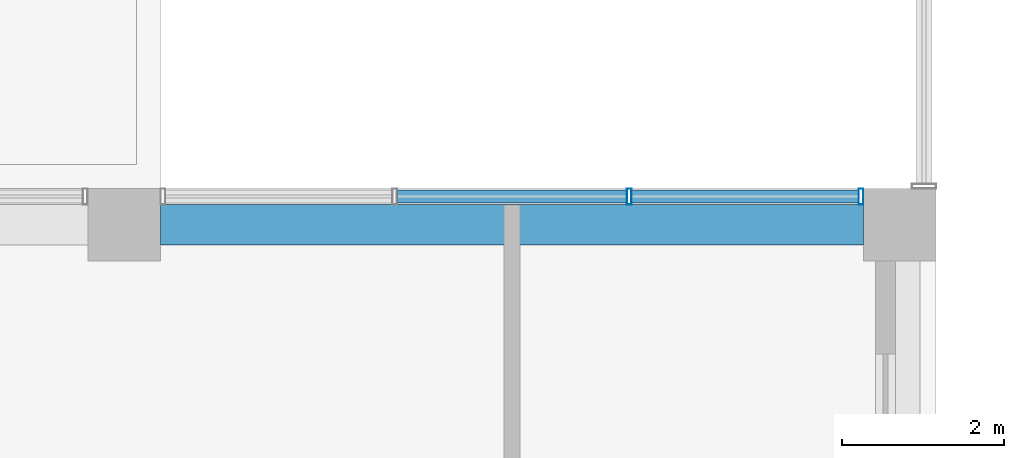
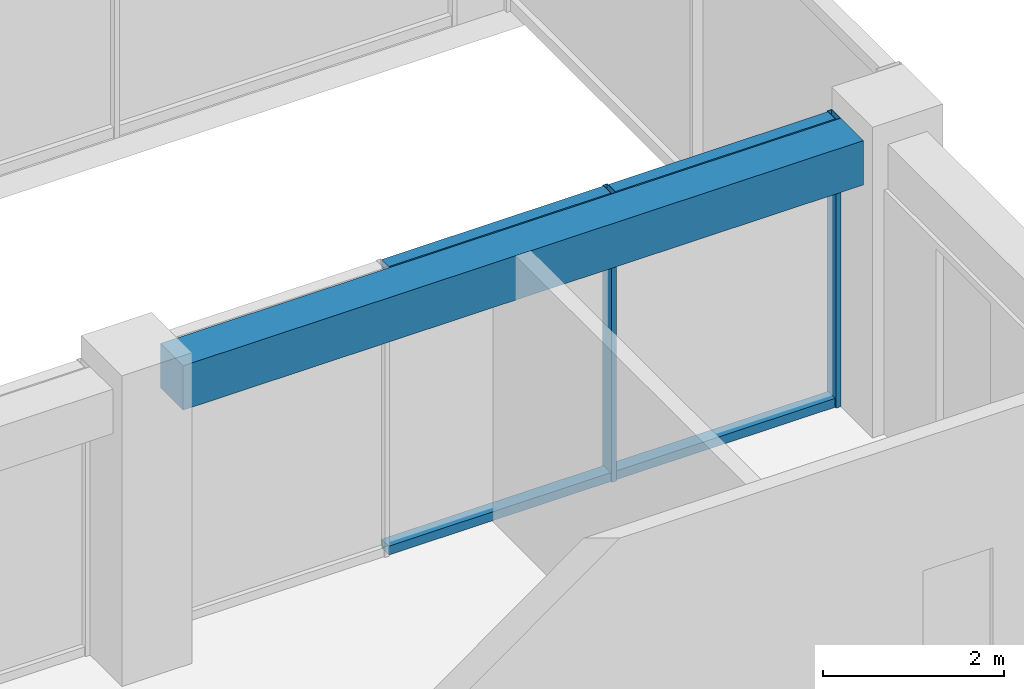
# One storey, part 17 of 38: 6 members, 1 beam, 1 element without a shape of its own.
"""IFC4 building model written with IfcOpenShell, lengths in metres."""

from ifc_helpers import new_model, si_unit, direction, frame, origin, origin_2d, place, context, subcontext, project, spatial, rectangle, hollow_rectangle, extrude, material, layer, layer_set, material_profile, profile_set, type_object, element, aggregate, save


model = new_model("IFC4")

# Units and contexts
model_context = context("Model", 3, precision=1e-05, world=origin(), true_north=direction((0.0, 1.0)))
body_context = subcontext(model_context, "Body", "Model", "MODEL_VIEW")
ifc_project = project(units=[si_unit("LENGTHUNIT", "METRE"), si_unit("AREAUNIT", "SQUARE_METRE"), si_unit("VOLUMEUNIT", "CUBIC_METRE"), si_unit("PLANEANGLEUNIT", "RADIAN"), si_unit("MASSUNIT", "GRAM", prefix="KILO")], contexts=[model_context])

# Site, building, storey
site_placement = place(None, origin())
site = spatial("IfcSite", under=ifc_project, at=site_placement, CompositionType="ELEMENT")
building_placement = place(site_placement, origin())
building = spatial("IfcBuilding", under=site, at=building_placement, Name="Nzadi Deep Aquarium and Research Tower", CompositionType="ELEMENT")
storey_placement = place(building_placement, frame((0.0, 0.0, 52.89990234375)))
storey = spatial("IfcBuildingStorey", under=building, at=storey_placement, Name="L10", CompositionType="ELEMENT", Elevation=52.89990234375)

# Curtain wall, members
ifc_material_1 = material(Name="Aluminium unitised frame", Category="aluminium")
ifc_layer = layer(ifc_material_1, 0.199951171875)
ifc_layer_set = layer_set([ifc_layer], Name="Aluminium unitised frame")
curtain_wall_type = type_object("IfcCurtainWallType", Name="Curtain wall Unitised 200", PredefinedType="NOTDEFINED", material=ifc_layer_set)
curtain_wall_placement = place(storey_placement, origin())
curtain_wall = element("IfcCurtainWall", 1, at=curtain_wall_placement, inside=storey, type_object=curtain_wall_type, Name="Unitised curtain wall blade A north L10", PredefinedType="NOTDEFINED")
ifc_material_2 = material(Name="Aluminium unitised frame", Category="aluminium")
ifc_material_profile_1 = material_profile(ifc_material_2, hollow_rectangle(XDim=0.199951171875, YDim=0.06005859375, WallThickness=0.0048828125, at=origin_2d()))
ifc_profile_set_1 = profile_set([ifc_material_profile_1], Name="Aluminium unitised frame")
member_type_1 = type_object("IfcMemberType", Name="Mullion 60x200 Unitised", PredefinedType="MULLION", material=ifc_profile_set_1)
member_1_placement = place(storey_placement, frame((44.64990234375, 18.75, 0.0), z_axis=(0.0, 0.0, 1.0), x_axis=(0.0, 1.0, 0.0)))
member_1 = element("IfcMember", 2, at=member_1_placement, type_object=member_type_1, Name="CW042 mullion 3", PredefinedType="MULLION", context=body_context, shape_type="SweptSolid", body=[
    extrude(hollow_rectangle(XDim=0.199951171875, YDim=0.06005859375, WallThickness=0.0048828125, at=origin_2d()), origin(), (0.0, 0.0, 1.0), 3.900146484375),
])
member_2_placement = place(storey_placement, frame((47.52001953125, 18.75, 0.0), z_axis=(0.0, 0.0, 1.0), x_axis=(0.0, 1.0, 0.0)))
member_2 = element("IfcMember", 3, at=member_2_placement, type_object=member_type_1, Name="CW042 mullion 4", PredefinedType="MULLION", context=body_context, shape_type="SweptSolid", body=[
    extrude(hollow_rectangle(XDim=0.199951171875, YDim=0.06005859375, WallThickness=0.0048828125, at=origin_2d()), origin(), (0.0, 0.0, 1.0), 3.900146484375),
])

# Beam
ifc_material_3 = material(Name="Concrete C35/45", Category="concrete")
ifc_material_profile_2 = material_profile(ifc_material_3, rectangle(XDim=0.5, YDim=0.60009765625, at=origin_2d()))
ifc_profile_set_2 = profile_set([ifc_material_profile_2], Name="Concrete C35/45")
beam_type = type_object("IfcBeamType", Name="RC 500x600", PredefinedType="BEAM", material=ifc_profile_set_2)
beam_placement = place(storey_placement, frame((38.85009765625, 18.39990234375, 3.60009765625), z_axis=(1.0, 0.0, 0.0), x_axis=(0.0, 1.0, 0.0)))
element("IfcBeam", 4, at=beam_placement, inside=storey, type_object=beam_type, Name="B-Z1-L10-L3-5", PredefinedType="BEAM", context=body_context, shape_type="SweptSolid", body=[
    extrude(rectangle(XDim=0.5, YDim=0.60009765625, at=origin_2d()), origin(), (0.0, 0.0, 1.0), 8.699951171875),
])

# Member
ifc_material_4 = material(Name="Aluminium unitised frame", Category="aluminium")
ifc_material_profile_3 = material_profile(ifc_material_4, hollow_rectangle(XDim=0.159912109375, YDim=0.1201171875, WallThickness=0.0048828125, at=origin_2d()))
ifc_profile_set_3 = profile_set([ifc_material_profile_3], Name="Aluminium unitised frame")
member_type_2 = type_object("IfcMemberType", Name="Transom 120x160 Unitised", PredefinedType="MULLION", material=ifc_profile_set_3)
member_3_placement = place(storey_placement, frame((41.780029296875, 18.75, 0.06005859375), z_axis=(1.0, 0.0, 0.0), x_axis=(0.0, 1.0, 0.0)))
member_3 = element("IfcMember", 5, at=member_3_placement, type_object=member_type_2, Name="CW042 transom 2.1", PredefinedType="MULLION", context=body_context, shape_type="SweptSolid", body=[
    extrude(hollow_rectangle(XDim=0.159912109375, YDim=0.1201171875, WallThickness=0.0048828125, at=origin_2d()), origin(), (0.0, 0.0, 1.0), 2.840087890625),
])

member_4_placement = place(storey_placement, frame((41.780029296875, 18.75, 3.840087890625), z_axis=(1.0, 0.0, 0.0), x_axis=(0.0, 1.0, 0.0)))
member_4 = element("IfcMember", 6, at=member_4_placement, type_object=member_type_2, Name="CW042 transom 2.2", PredefinedType="MULLION", context=body_context, shape_type="SweptSolid", body=[
    extrude(hollow_rectangle(XDim=0.159912109375, YDim=0.1201171875, WallThickness=0.0048828125, at=origin_2d()), origin(), (0.0, 0.0, 1.0), 2.840087890625),
])

member_5_placement = place(storey_placement, frame((44.679931640625, 18.75, 0.06005859375), z_axis=(1.0, 0.0, 0.0), x_axis=(0.0, 1.0, 0.0)))
member_5 = element("IfcMember", 7, at=member_5_placement, type_object=member_type_2, Name="CW042 transom 3.1", PredefinedType="MULLION", context=body_context, shape_type="SweptSolid", body=[
    extrude(hollow_rectangle(XDim=0.159912109375, YDim=0.1201171875, WallThickness=0.0048828125, at=origin_2d()), origin(), (0.0, 0.0, 1.0), 2.81005859375),
])

member_6_placement = place(storey_placement, frame((44.679931640625, 18.75, 3.840087890625), z_axis=(1.0, 0.0, 0.0), x_axis=(0.0, 1.0, 0.0)))
member_6 = element("IfcMember", 8, at=member_6_placement, type_object=member_type_2, Name="CW042 transom 3.2", PredefinedType="MULLION", context=body_context, shape_type="SweptSolid", body=[
    extrude(hollow_rectangle(XDim=0.159912109375, YDim=0.1201171875, WallThickness=0.0048828125, at=origin_2d()), origin(), (0.0, 0.0, 1.0), 2.81005859375),
])

aggregate(curtain_wall, [member_1, member_2, member_3, member_4, member_5, member_6])

save(model, "model.ifc")
